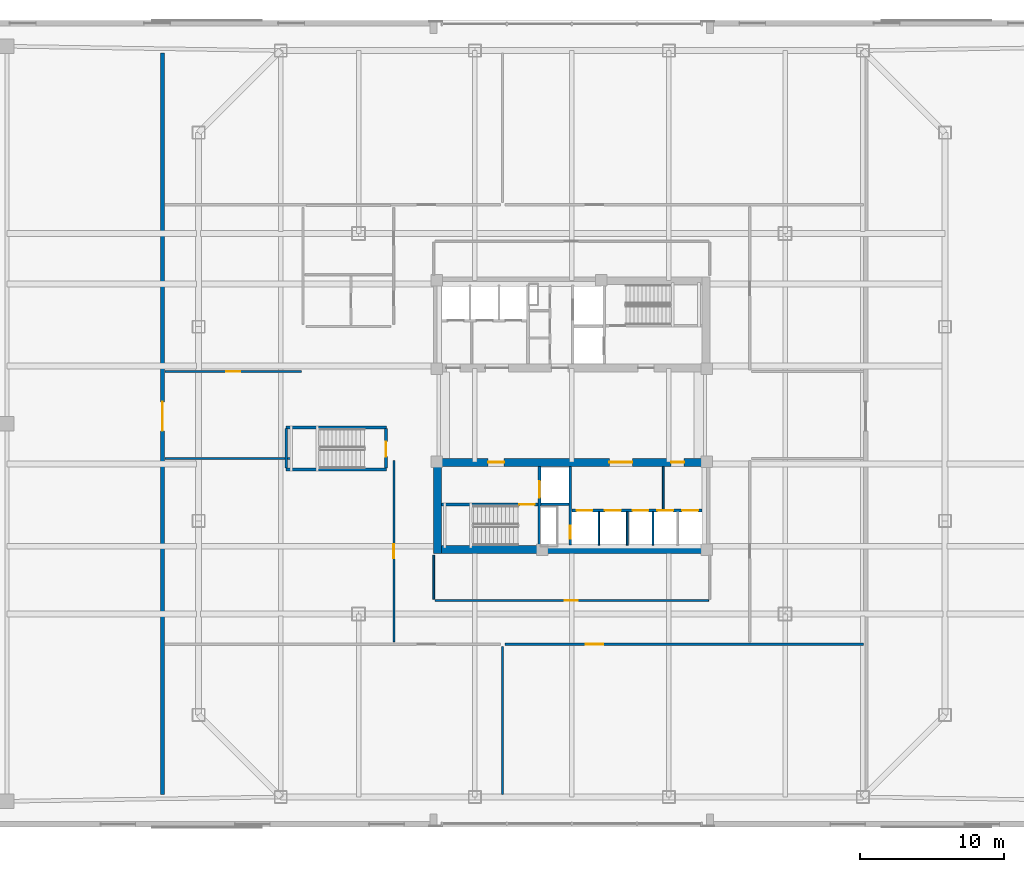
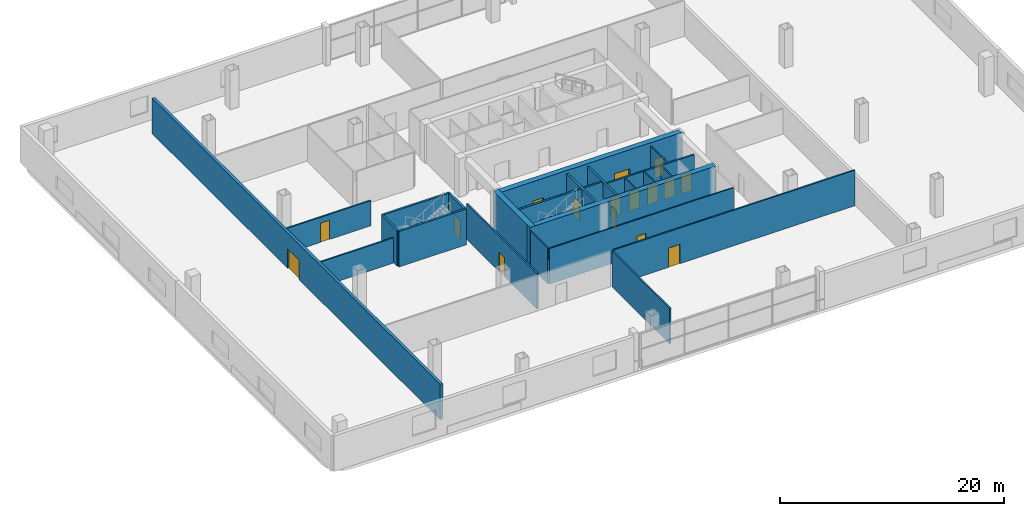
# One storey, part 12 of 21: 24 walls, 17 doors, 17 openings.
"""IFC4 building model written with IfcOpenShell, lengths in metres."""

from ifc_helpers import new_model, si_unit, direction, frame, frame_2d, origin, place, context, subcontext, project, spatial, rectangle, extrude, material, layer, layer_set, type_object, element, fill, save


model = new_model("IFC4")

# Units and contexts
model_context = context("Model", 3, precision=1e-05, world=origin(), true_north=direction((0.0, 1.0)))
body_context = subcontext(model_context, "Body", "Model", "MODEL_VIEW")
ifc_project = project(units=[si_unit("LENGTHUNIT", "METRE"), si_unit("AREAUNIT", "SQUARE_METRE"), si_unit("VOLUMEUNIT", "CUBIC_METRE"), si_unit("PLANEANGLEUNIT", "RADIAN"), si_unit("MASSUNIT", "GRAM", prefix="KILO")], contexts=[model_context])

# Site, building, storey
site_placement = place(None, origin())
site = spatial("IfcSite", under=ifc_project, at=site_placement, CompositionType="ELEMENT")
building_placement = place(site_placement, origin())
building = spatial("IfcBuilding", under=site, at=building_placement, Name="Qhalaya Broadcast Tower", CompositionType="ELEMENT")
storey_placement = place(building_placement, frame((0.0, 0.0, 13.5)))
storey = spatial("IfcBuildingStorey", under=building, at=storey_placement, Name="L03", CompositionType="ELEMENT", Elevation=13.5)

# Wall, opening, door
ifc_material_1 = material(Name="Gypsum Acoustic Partition")
ifc_layer_1 = layer(ifc_material_1, 0.14990234375, Name="Gypsum Acoustic Partition")
ifc_layer_set_1 = layer_set([ifc_layer_1], Name="Gypsum Acoustic Partition")
wall_type_1 = type_object("IfcWallType", Name="Corridor & Tenancy Acoustic Partition 150", PredefinedType="PARTITIONING", material=ifc_layer_set_1)
wall_1_placement = place(storey_placement, frame((-4.639892578125, -15.300048828125, 0.0), z_axis=(0.0, 0.0, 1.0), x_axis=(1.0, 0.0, 0.0)))
wall_1 = element("IfcWall", 1, at=wall_1_placement, inside=storey, type_object=wall_type_1, Name="L03 Partition Wall W-STS1R", PredefinedType="PARTITIONING", context=body_context, shape_type="SweptSolid", body=[
    extrude(rectangle(XDim=24.8798828125, YDim=0.14990234375, at=frame_2d((12.43994140625, 0.0))), origin(), (0.0, 0.0, 1.0), 3.8798828125),
])
opening_1_placement = place(wall_1_placement, frame((5.6201171875, 0.0, 0.0)))
opening_1 = element("IfcOpeningElement", 2, at=opening_1_placement, cuts=wall_1, Name="Opening D11", PredefinedType="OPENING", context=body_context, shape_type="SweptSolid", body=[
    extrude(rectangle(XDim=1.199951171875, YDim=2.10009765625, at=frame_2d((0.60009765625, 1.050048828125))), frame((0.0, 0.0869140625, 0.0), z_axis=(0.0, -1.0, 0.0), x_axis=(1.0, 0.0, 0.0)), (0.0, 0.0, 1.0), 0.173828125),
])
ifc_material_2 = material(Name="Anodised Aluminium Glazed Door", Category="aluminium")
door_type_1 = type_object("IfcDoorType", Name="Conference, Boardroom & Studio Control Door D11", OperationType="NOTDEFINED", PredefinedType="DOOR", material=ifc_material_2)
door_1_placement = place(opening_1_placement, origin())
door_1 = element("IfcDoor", 3, at=door_1_placement, inside=storey, type_object=door_type_1, Name="L03 Door D-STS2", OperationType="SINGLE_SWING_LEFT", OverallHeight=2.10009765625, OverallWidth=1.199951171875, PredefinedType="DOOR", context=body_context, shape_type="SweptSolid", body=[
    extrude(rectangle(XDim=1.199951171875, YDim=2.10009765625, at=frame_2d((0.60009765625, 1.050048828125))), frame((0.0, 0.02490234375, 0.0), z_axis=(0.0, -1.0, 0.0), x_axis=(1.0, 0.0, 0.0)), (0.0, 0.0, 1.0), 0.050048828125),
])
fill(opening_1, door_1)

# Wall
wall_2_placement = place(storey_placement, frame((-4.800048828125, -25.739990234375, 0.0), z_axis=(0.0, 0.0, 1.0), x_axis=(0.0, 1.0, 0.0)))
element("IfcWall", 4, at=wall_2_placement, inside=storey, type_object=wall_type_1, Name="L03 Partition Wall W-STMS", PredefinedType="PARTITIONING", context=body_context, shape_type="SweptSolid", body=[
    extrude(rectangle(XDim=10.280029296875, YDim=0.14990234375, at=frame_2d((5.14013671875, 0.0))), origin(), (0.0, 0.0, 1.0), 3.8798828125),
])

# Wall, opening, door
wall_3_placement = place(storey_placement, frame((-12.35009765625, -15.139892578125, 0.0), z_axis=(0.0, 0.0, 1.0), x_axis=(0.0, 1.0, 0.0)))
wall_3 = element("IfcWall", 5, at=wall_3_placement, inside=storey, type_object=wall_type_1, Name="L03 Partition Wall W-STPW", PredefinedType="PARTITIONING", context=body_context, shape_type="SweptSolid", body=[
    extrude(rectangle(XDim=12.579833984375, YDim=0.14990234375, at=frame_2d((6.2900390625, 0.0))), origin(), (0.0, 0.0, 1.0), 3.8798828125),
])
opening_2_placement = place(wall_3_placement, frame((5.81494140625, 0.0, 0.0)))
opening_2 = element("IfcOpeningElement", 6, at=opening_2_placement, cuts=wall_3, Name="Opening D10", PredefinedType="OPENING", context=body_context, shape_type="SweptSolid", body=[
    extrude(rectangle(XDim=0.949951171875, YDim=2.10009765625, at=frame_2d((0.47509765625, 1.050048828125))), frame((0.0, 0.0869140625, 0.0), z_axis=(0.0, -1.0, 0.0), x_axis=(1.0, 0.0, 0.0)), (0.0, 0.0, 1.0), 0.173828125),
])
ifc_material_3 = material(Name="Timber Veneer Acoustic Door", Category="wood")
door_type_2 = type_object("IfcDoorType", Name="Cellular Office & Edit Booth Door D10", OperationType="NOTDEFINED", PredefinedType="DOOR", material=ifc_material_3)
door_2_placement = place(opening_2_placement, origin())
door_2 = element("IfcDoor", 7, at=door_2_placement, inside=storey, type_object=door_type_2, Name="L03 Door D-STPW", OperationType="SINGLE_SWING_LEFT", OverallHeight=2.10009765625, OverallWidth=0.949951171875, PredefinedType="DOOR", context=body_context, shape_type="SweptSolid", body=[
    extrude(rectangle(XDim=0.949951171875, YDim=2.10009765625, at=frame_2d((0.47509765625, 1.050048828125))), frame((0.0, 0.02490234375, 0.0), z_axis=(0.0, -1.0, 0.0), x_axis=(1.0, 0.0, 0.0)), (0.0, 0.0, 1.0), 0.050048828125),
])
fill(opening_2, door_2)

# Wall
wall_4_placement = place(storey_placement, frame((-28.239990234375, -2.419921875, 0.0), z_axis=(0.0, 0.0, 1.0), x_axis=(1.0, 0.0, 0.0)))
element("IfcWall", 8, at=wall_4_placement, inside=storey, type_object=wall_type_1, Name="L03 Partition Wall W-STPW2", PredefinedType="PARTITIONING", context=body_context, shape_type="SweptSolid", body=[
    extrude(rectangle(XDim=8.72998046875, YDim=0.14990234375, at=frame_2d((4.364990234375, 0.0))), origin(), (0.0, 0.0, 1.0), 2.741943359375),
])

# Wall, opening, door
wall_5_placement = place(storey_placement, frame((-28.239990234375, 3.6201171875, 0.0), z_axis=(0.0, 0.0, 1.0), x_axis=(1.0, 0.0, 0.0)))
wall_5 = element("IfcWall", 9, at=wall_5_placement, inside=storey, type_object=wall_type_1, Name="L03 Partition Wall W-STPW3", PredefinedType="PARTITIONING", context=body_context, shape_type="SweptSolid", body=[
    extrude(rectangle(XDim=9.47998046875, YDim=0.14990234375, at=frame_2d((4.739990234375, 0.0))), origin(), (0.0, 0.0, 1.0), 2.741943359375),
])
opening_3_placement = place(wall_5_placement, frame((4.264892578125, 0.0, 0.0)))
opening_3 = element("IfcOpeningElement", 10, at=opening_3_placement, cuts=wall_5, Name="Opening D10", PredefinedType="OPENING", context=body_context, shape_type="SweptSolid", body=[
    extrude(rectangle(XDim=0.949951171875, YDim=2.10009765625, at=frame_2d((0.47509765625, 1.050048828125))), frame((0.0, 0.0869140625, 0.0), z_axis=(0.0, -1.0, 0.0), x_axis=(1.0, 0.0, 0.0)), (0.0, 0.0, 1.0), 0.173828125),
])
door_3_placement = place(opening_3_placement, origin())
door_3 = element("IfcDoor", 11, at=door_3_placement, inside=storey, type_object=door_type_2, Name="L03 Door D-STPW3", OperationType="SINGLE_SWING_RIGHT", OverallHeight=2.10009765625, OverallWidth=0.949951171875, PredefinedType="DOOR", context=body_context, shape_type="SweptSolid", body=[
    extrude(rectangle(XDim=0.949951171875, YDim=2.10009765625, at=frame_2d((0.47509765625, 1.050048828125))), frame((0.0, 0.02490234375, 0.0), z_axis=(0.0, -1.0, 0.0), x_axis=(1.0, 0.0, 0.0)), (0.0, 0.0, 1.0), 0.050048828125),
])
fill(opening_3, door_3)

ifc_layer_2 = layer(ifc_material_1, 0.280029296875, Name="Gypsum Acoustic Partition")
ifc_layer_set_2 = layer_set([ifc_layer_2], Name="Gypsum Acoustic Partition")
wall_type_2 = type_object("IfcWallType", Name="Double-Leaf Soundstage Acoustic Wall 280", PredefinedType="MOVABLE", material=ifc_layer_set_2)
wall_6_placement = place(storey_placement, frame((-28.39990234375, -25.739990234375, 0.0), z_axis=(0.0, 0.0, 1.0), x_axis=(0.0, 1.0, 0.0)))
wall_6 = element("IfcWall", 12, at=wall_6_placement, inside=storey, type_object=wall_type_2, Name="L03 Partition Wall W-STAW", PredefinedType="MOVABLE", context=body_context, shape_type="SweptSolid", body=[
    extrude(rectangle(XDim=51.47998046875, YDim=0.280029296875, at=frame_2d((25.739990234375, 0.0))), origin(), (0.0, 0.0, 1.0), 3.8798828125),
])
opening_4_placement = place(wall_6_placement, frame((25.2548828125, 0.0, 0.0)))
opening_4 = element("IfcOpeningElement", 13, at=opening_4_placement, cuts=wall_6, Name="Opening D08", PredefinedType="OPENING", context=body_context, shape_type="SweptSolid", body=[
    extrude(rectangle(XDim=2.0, YDim=2.139892578125, at=frame_2d((1.0, 1.06982421875))), frame((0.0, 0.152099609375, 0.0), z_axis=(0.0, -1.0, 0.0), x_axis=(1.0, 0.0, 0.0)), (0.0, 0.0, 1.0), 0.303955078125),
])
ifc_material_4 = material(Name="Acoustic Studio Isolation Steel Door", Category="steel")
door_type_3 = type_object("IfcDoorType", Name="Soundstage Acoustic Isolation Double Door D08", OperationType="DOUBLE_DOOR_SINGLE_SWING", PredefinedType="DOOR", material=ifc_material_4)
door_4_placement = place(opening_4_placement, origin())
door_4 = element("IfcDoor", 14, at=door_4_placement, inside=storey, type_object=door_type_3, Name="L03 Door D-STA1", OperationType="DOUBLE_DOOR_SINGLE_SWING", OverallHeight=2.139892578125, OverallWidth=2.0, PredefinedType="DOOR", context=body_context, shape_type="SweptSolid", body=[
    extrude(rectangle(XDim=2.0, YDim=2.139892578125, at=frame_2d((1.0, 1.06982421875))), frame((0.0, 0.02490234375, 0.0), z_axis=(0.0, -1.0, 0.0), x_axis=(1.0, 0.0, 0.0)), (0.0, 0.0, 1.0), 0.050048828125),
])
fill(opening_4, door_4)

ifc_material_5 = material(Name="Concrete C50/60", Category="concrete")
ifc_layer_3 = layer(ifc_material_5, 0.199951171875, Name="Concrete C50/60")
ifc_layer_set_3 = layer_set([ifc_layer_3], Name="Concrete C50/60")
wall_type_3 = type_object("IfcWallType", Name="Load-Bearing Stair Shaft Wall 200", PredefinedType="SHEAR", material=ifc_layer_set_3)
wall_7_placement = place(storey_placement, frame((-9.030029296875, -5.60498046875, 0.0), z_axis=(0.0, 0.0, 1.0), x_axis=(1.0, 0.0, 0.0)))
wall_7 = element("IfcWall", 15, at=wall_7_placement, inside=storey, type_object=wall_type_3, Name="L03 Stair Core Shear Wall SCW-ST2", PredefinedType="SHEAR", context=body_context, shape_type="SweptSolid", body=[
    extrude(rectangle(XDim=6.669921875, YDim=0.199951171875, at=frame_2d((3.3349609375, 0.0))), origin(), (0.0, 0.0, 1.0), 3.8798828125),
])
opening_5_placement = place(wall_7_placement, frame((5.39990234375, 0.0, 0.0)))
opening_5 = element("IfcOpeningElement", 16, at=opening_5_placement, cuts=wall_7, Name="Opening D03", PredefinedType="OPENING", context=body_context, shape_type="SweptSolid", body=[
    extrude(rectangle(XDim=1.050048828125, YDim=2.080078125, at=frame_2d((0.52490234375, 1.0400390625))), frame((0.0, 0.112060546875, 0.0), z_axis=(0.0, -1.0, 0.0), x_axis=(1.0, 0.0, 0.0)), (0.0, 0.0, 1.0), 0.223876953125),
])
ifc_material_6 = material(Name="Fire-Rated Steel Door", Category="steel")
door_type_4 = type_object("IfcDoorType", Name="Core Stair Protected Fire Door D03", OperationType="NOTDEFINED", PredefinedType="DOOR", material=ifc_material_6)
door_5_placement = place(opening_5_placement, origin())
door_5 = element("IfcDoor", 17, at=door_5_placement, inside=storey, type_object=door_type_4, Name="L03 Door D-SST2", OperationType="SINGLE_SWING_RIGHT", OverallHeight=2.080078125, OverallWidth=1.050048828125, PredefinedType="DOOR", context=body_context, shape_type="SweptSolid", body=[
    extrude(rectangle(XDim=1.050048828125, YDim=2.080078125, at=frame_2d((0.52490234375, 1.0400390625))), frame((0.0, 0.02490234375, 0.0), z_axis=(0.0, -1.0, 0.0), x_axis=(1.0, 0.0, 0.0)), (0.0, 0.0, 1.0), 0.050048828125),
])
fill(opening_5, door_5)

wall_8_placement = place(storey_placement, frame((-2.25, -8.429931640625, 0.0), z_axis=(0.0, 0.0, 1.0), x_axis=(0.0, 1.0, 0.0)))
wall_8 = element("IfcWall", 18, at=wall_8_placement, inside=storey, type_object=wall_type_3, Name="L03 Stair Core Shear Wall SCW-FF", PredefinedType="SHEAR", context=body_context, shape_type="SweptSolid", body=[
    extrude(rectangle(XDim=5.4599609375, YDim=0.199951171875, at=frame_2d((2.72998046875, 0.0))), origin(), (0.0, 0.0, 1.0), 3.8798828125),
])
opening_6_placement = place(wall_8_placement, frame((3.300048828125, 0.0, 0.0)))
opening_6 = element("IfcOpeningElement", 19, at=opening_6_placement, cuts=wall_8, Name="Opening LD2", PredefinedType="OPENING", context=body_context, shape_type="SweptSolid", body=[
    extrude(rectangle(XDim=1.14990234375, YDim=2.080078125, at=frame_2d((0.574951171875, 1.0400390625))), frame((0.0, 0.112060546875, 0.0), z_axis=(0.0, -1.0, 0.0), x_axis=(1.0, 0.0, 0.0)), (0.0, 0.0, 1.0), 0.223876953125),
])
ifc_material_7 = material(Name="Brushed Stainless Steel Lift Door", Category="steel")
door_type_5 = type_object("IfcDoorType", Name="Firefighting Lift Sliding Landing Door LD2", OperationType="DOUBLE_DOOR_SLIDING", PredefinedType="DOOR", material=ifc_material_7)
door_6_placement = place(opening_6_placement, origin())
door_6 = element("IfcDoor", 20, at=door_6_placement, inside=storey, type_object=door_type_5, Name="L03 Door LD-FF2", OperationType="DOUBLE_DOOR_SLIDING", OverallHeight=2.080078125, OverallWidth=1.14990234375, PredefinedType="DOOR", context=body_context, shape_type="SweptSolid", body=[
    extrude(rectangle(XDim=1.14990234375, YDim=2.080078125, at=frame_2d((0.574951171875, 1.0400390625))), frame((0.0, 0.02490234375, 0.0), z_axis=(0.0, -1.0, 0.0), x_axis=(1.0, 0.0, 0.0)), (0.0, 0.0, 1.0), 0.050048828125),
])
fill(opening_6, door_6)

# Walls
for number, where, z_axis, x_axis, name in (
    (21, (-19.830078125, -0.25, 0.0), (0.0, 0.0, 1.0), (1.0, 0.0, 0.0), "L03 Stair Core Shear Wall W-STP1N"),
    (22, (-19.830078125, -3.179931640625, 0.0), (0.0, 0.0, 1.0), (1.0, 0.0, 0.0), "L03 Stair Core Shear Wall W-STP1S"),
):
    element("IfcWall", number, at=place(storey_placement, frame(where, z_axis=z_axis, x_axis=x_axis)), inside=storey, type_object=wall_type_3, Name=name, PredefinedType="SHEAR", context=body_context, shape_type="SweptSolid", body=[
        extrude(rectangle(XDim=6.9599609375, YDim=0.199951171875, at=frame_2d((3.47998046875, 0.0))), origin(), (0.0, 0.0, 1.0), 3.8798828125),
    ])

# Wall, opening, door
wall_9_placement = place(storey_placement, frame((-12.89990234375, -0.340087890625, 0.0), z_axis=(0.0, 0.0, 1.0), x_axis=(0.0, -1.0, 0.0)))
wall_9 = element("IfcWall", 23, at=wall_9_placement, inside=storey, type_object=wall_type_3, Name="L03 Stair Core Shear Wall W-STP1E", PredefinedType="SHEAR", context=body_context, shape_type="SweptSolid", body=[
    extrude(rectangle(XDim=2.739990234375, YDim=0.199951171875, at=frame_2d((1.3701171875, 0.0))), origin(), (0.0, 0.0, 1.0), 3.8798828125),
])
opening_7_placement = place(wall_9_placement, frame((0.89501953125, 0.0, 0.0)))
opening_7 = element("IfcOpeningElement", 24, at=opening_7_placement, cuts=wall_9, Name="Opening D03", PredefinedType="OPENING", context=body_context, shape_type="SweptSolid", body=[
    extrude(rectangle(XDim=1.050048828125, YDim=2.080078125, at=frame_2d((0.52490234375, 1.0400390625))), frame((0.0, 0.112060546875, 0.0), z_axis=(0.0, -1.0, 0.0), x_axis=(1.0, 0.0, 0.0)), (0.0, 0.0, 1.0), 0.223876953125),
])
door_7_placement = place(opening_7_placement, origin())
door_7 = element("IfcDoor", 25, at=door_7_placement, inside=storey, type_object=door_type_4, Name="L03 Door D-STP1", OperationType="SINGLE_SWING_LEFT", OverallHeight=2.080078125, OverallWidth=1.050048828125, PredefinedType="DOOR", context=body_context, shape_type="SweptSolid", body=[
    extrude(rectangle(XDim=1.050048828125, YDim=2.080078125, at=frame_2d((0.52490234375, 1.0400390625))), frame((0.0, 0.02490234375, 0.0), z_axis=(0.0, -1.0, 0.0), x_axis=(1.0, 0.0, 0.0)), (0.0, 0.0, 1.0), 0.050048828125),
])
fill(opening_7, door_7)

# Walls
wall_10_placement = place(storey_placement, frame((-19.820068359375, -3.080078125, 0.0), z_axis=(0.0, 0.0, 1.0), x_axis=(0.0, 1.0, 0.0)))
element("IfcWall", 26, at=wall_10_placement, inside=storey, type_object=wall_type_3, Name="L03 Stair Core Shear Wall W-STP1W", PredefinedType="SHEAR", context=body_context, shape_type="SweptSolid", body=[
    extrude(rectangle(XDim=2.739990234375, YDim=0.199951171875, at=frame_2d((1.3701171875, 0.0))), origin(), (0.0, 0.0, 1.0), 3.8798828125),
])
ifc_material_8 = material(Name="Concrete C60/75", Category="concrete")
ifc_layer_4 = layer(ifc_material_8, 0.550048828125, Name="Concrete C60/75")
ifc_layer_set_4 = layer_set([ifc_layer_4], Name="Concrete C60/75")
wall_type_4 = type_object("IfcWallType", Name="Lower Split-Core Shear Wall 550", PredefinedType="SHEAR", material=ifc_layer_set_4)
wall_11_placement = place(storey_placement, frame((-9.60009765625, -8.72509765625, 0.0), z_axis=(0.0, 0.0, 1.0), x_axis=(1.0, 0.0, 0.0)))
element("IfcWall", 27, at=wall_11_placement, inside=storey, type_object=wall_type_4, Name="L03 Split-Core Shear Wall CW-SS", PredefinedType="SHEAR", context=body_context, shape_type="SweptSolid", body=[
    extrude(rectangle(XDim=19.2001953125, YDim=0.550048828125, at=frame_2d((9.60009765625, 0.0))), origin(), (0.0, 0.0, 1.0), 4.199951171875),
])

# Wall, openings, doors
wall_12_placement = place(storey_placement, frame((-9.60009765625, -2.675048828125, 0.0), z_axis=(0.0, 0.0, 1.0), x_axis=(1.0, 0.0, 0.0)))
wall_12 = element("IfcWall", 28, at=wall_12_placement, inside=storey, type_object=wall_type_4, Name="L03 Split-Core Shear Wall CW-SN", PredefinedType="SHEAR", context=body_context, shape_type="SweptSolid", body=[
    extrude(rectangle(XDim=19.2001953125, YDim=0.550048828125, at=frame_2d((9.60009765625, 0.0))), origin(), (0.0, 0.0, 1.0), 4.199951171875),
])
opening_8_placement = place(wall_12_placement, frame((3.800048828125, 0.0, 0.0)))
opening_8 = element("IfcOpeningElement", 29, at=opening_8_placement, cuts=wall_12, Name="Opening D04", PredefinedType="OPENING", context=body_context, shape_type="SweptSolid", body=[
    extrude(rectangle(XDim=1.10009765625, YDim=2.080078125, at=frame_2d((0.550048828125, 1.0400390625))), frame((0.0, 0.287109375, 0.0), z_axis=(0.0, -1.0, 0.0), x_axis=(1.0, 0.0, 0.0)), (0.0, 0.0, 1.0), 0.573974609375),
])
opening_9_placement = place(wall_12_placement, frame((12.199951171875, 0.0, 0.0)))
opening_9 = element("IfcOpeningElement", 30, at=opening_9_placement, cuts=wall_12, Name="Opening D07", PredefinedType="OPENING", context=body_context, shape_type="SweptSolid", body=[
    extrude(rectangle(XDim=1.60009765625, YDim=2.1201171875, at=frame_2d((0.800048828125, 1.06005859375))), frame((0.0, 0.287109375, 0.0), z_axis=(0.0, -1.0, 0.0), x_axis=(1.0, 0.0, 0.0)), (0.0, 0.0, 1.0), 0.573974609375),
])
opening_10_placement = place(wall_12_placement, frame((16.5, 0.0, 0.0)))
opening_10 = element("IfcOpeningElement", 31, at=opening_10_placement, cuts=wall_12, Name="Opening D06", PredefinedType="OPENING", context=body_context, shape_type="SweptSolid", body=[
    extrude(rectangle(XDim=0.89990234375, YDim=2.050048828125, at=frame_2d((0.449951171875, 1.02490234375))), frame((0.0, 0.287109375, 0.0), z_axis=(0.0, -1.0, 0.0), x_axis=(1.0, 0.0, 0.0)), (0.0, 0.0, 1.0), 0.573974609375),
])
door_type_6 = type_object("IfcDoorType", Name="Firefighting Lobby Rated Door D04", OperationType="NOTDEFINED", PredefinedType="DOOR", material=ifc_material_6)
door_8_placement = place(opening_8_placement, origin())
door_8 = element("IfcDoor", 32, at=door_8_placement, inside=storey, type_object=door_type_6, Name="L03 Door D-SFF", OperationType="SINGLE_SWING_LEFT", OverallHeight=2.080078125, OverallWidth=1.10009765625, PredefinedType="DOOR", context=body_context, shape_type="SweptSolid", body=[
    extrude(rectangle(XDim=1.10009765625, YDim=2.080078125, at=frame_2d((0.550048828125, 1.0400390625))), frame((0.0, 0.02490234375, 0.0), z_axis=(0.0, -1.0, 0.0), x_axis=(1.0, 0.0, 0.0)), (0.0, 0.0, 1.0), 0.050048828125),
])
fill(opening_8, door_8)
door_type_7 = type_object("IfcDoorType", Name="Passenger Lift Lobby Double Glazed Door D07", OperationType="DOUBLE_DOOR_SINGLE_SWING", PredefinedType="DOOR", material=ifc_material_2)
door_9_placement = place(opening_9_placement, origin())
door_9 = element("IfcDoor", 33, at=door_9_placement, inside=storey, type_object=door_type_7, Name="L03 Door D-SPLL", OperationType="DOUBLE_DOOR_SINGLE_SWING", OverallHeight=2.1201171875, OverallWidth=1.60009765625, PredefinedType="DOOR", context=body_context, shape_type="SweptSolid", body=[
    extrude(rectangle(XDim=1.60009765625, YDim=2.1201171875, at=frame_2d((0.800048828125, 1.06005859375))), frame((0.0, 0.02490234375, 0.0), z_axis=(0.0, -1.0, 0.0), x_axis=(1.0, 0.0, 0.0)), (0.0, 0.0, 1.0), 0.050048828125),
])
fill(opening_9, door_9)
door_type_8 = type_object("IfcDoorType", Name="Riser & Electrical Shaft Access Door D06", OperationType="NOTDEFINED", PredefinedType="DOOR", material=ifc_material_6)
door_10_placement = place(opening_10_placement, origin())
door_10 = element("IfcDoor", 34, at=door_10_placement, inside=storey, type_object=door_type_8, Name="L03 Door D-SSCST", OperationType="SINGLE_SWING_LEFT", OverallHeight=2.050048828125, OverallWidth=0.89990234375, PredefinedType="DOOR", context=body_context, shape_type="SweptSolid", body=[
    extrude(rectangle(XDim=0.89990234375, YDim=2.050048828125, at=frame_2d((0.449951171875, 1.02490234375))), frame((0.0, 0.02490234375, 0.0), z_axis=(0.0, -1.0, 0.0), x_axis=(1.0, 0.0, 0.0)), (0.0, 0.0, 1.0), 0.050048828125),
])
fill(opening_10, door_10)

# Walls
wall_13_placement = place(storey_placement, frame((-9.324951171875, -9.0, 0.0), z_axis=(0.0, 0.0, 1.0), x_axis=(0.0, 1.0, 0.0)))
element("IfcWall", 35, at=wall_13_placement, inside=storey, type_object=wall_type_4, Name="L03 Split-Core Shear Wall CW-SW", PredefinedType="SHEAR", context=body_context, shape_type="SweptSolid", body=[
    extrude(rectangle(XDim=6.60009765625, YDim=0.550048828125, at=frame_2d((3.300048828125, 0.0))), origin(), (0.0, 0.0, 1.0), 4.199951171875),
])
ifc_layer_5 = layer(ifc_material_1, 0.1201171875, Name="Gypsum Acoustic Partition")
ifc_layer_set_5 = layer_set([ifc_layer_5], Name="Gypsum Acoustic Partition")
wall_type_5 = type_object("IfcWallType", Name="Office, Booth & Sanitary Partition 120", PredefinedType="PARTITIONING", material=ifc_layer_set_5)
for number, where, z_axis, x_axis, name in (
    (36, (1.8798828125, -8.429931640625, 0.0), (0.0, 0.0, 1.0), (0.0, 1.0, 0.0), "L03 Partition Wall SCW-MD4"),
    (37, (3.85009765625, -8.429931640625, 0.0), (0.0, 0.0, 1.0), (0.0, 1.0, 0.0), "L03 Partition Wall SCW-MD5"),
    (38, (5.639892578125, -8.429931640625, 0.0), (0.0, 0.0, 1.0), (0.0, 1.0, 0.0), "L03 Partition Wall SCW-HD6"),
):
    element("IfcWall", number, at=place(storey_placement, frame(where, z_axis=z_axis, x_axis=x_axis)), inside=storey, type_object=wall_type_5, Name=name, PredefinedType="PARTITIONING", context=body_context, shape_type="SweptSolid", body=[
        extrude(rectangle(XDim=2.329833984375, YDim=0.1201171875, at=frame_2d((1.1650390625, 0.0))), origin(), (0.0, 0.0, 1.0), 3.8798828125),
    ])
wall_14_placement = place(storey_placement, frame((6.35009765625, -5.93994140625, 0.0), z_axis=(0.0, 0.0, 1.0), x_axis=(0.0, 1.0, 0.0)))
element("IfcWall", 39, at=wall_14_placement, inside=storey, type_object=wall_type_5, Name="L03 Partition Wall SCW-LKB", PredefinedType="PARTITIONING", context=body_context, shape_type="SweptSolid", body=[
    extrude(rectangle(XDim=2.969970703125, YDim=0.1201171875, at=frame_2d((1.48486328125, 0.0))), origin(), (0.0, 0.0, 1.0), 3.8798828125),
])

# Wall, opening, door
wall_15_placement = place(storey_placement, frame((-9.489990234375, -12.260009765625, 0.0), z_axis=(0.0, 0.0, 1.0), x_axis=(1.0, 0.0, 0.0)))
wall_15 = element("IfcWall", 40, at=wall_15_placement, inside=storey, type_object=wall_type_5, Name="L03 Partition Wall W-PCSHS", PredefinedType="PARTITIONING", context=body_context, shape_type="SweptSolid", body=[
    extrude(rectangle(XDim=18.97998046875, YDim=0.1201171875, at=frame_2d((9.489990234375, 0.0))), origin(), (0.0, 0.0, 1.0), 3.8798828125),
])
opening_11_placement = place(wall_15_placement, frame((9.014892578125, 0.0, 0.0)))
opening_11 = element("IfcOpeningElement", 41, at=opening_11_placement, cuts=wall_15, Name="Opening D06", PredefinedType="OPENING", context=body_context, shape_type="SweptSolid", body=[
    extrude(rectangle(XDim=0.89990234375, YDim=2.050048828125, at=frame_2d((0.449951171875, 1.02490234375))), frame((0.0, 0.072021484375, 0.0), z_axis=(0.0, -1.0, 0.0), x_axis=(1.0, 0.0, 0.0)), (0.0, 0.0, 1.0), 0.14404296875),
])
door_11_placement = place(opening_11_placement, origin())
door_11 = element("IfcDoor", 42, at=door_11_placement, inside=storey, type_object=door_type_8, Name="L03 Door D-PCSHS", OperationType="SINGLE_SWING_RIGHT", OverallHeight=2.050048828125, OverallWidth=0.89990234375, PredefinedType="DOOR", context=body_context, shape_type="SweptSolid", body=[
    extrude(rectangle(XDim=0.89990234375, YDim=2.050048828125, at=frame_2d((0.449951171875, 1.02490234375))), frame((0.0, 0.02490234375, 0.0), z_axis=(0.0, -1.0, 0.0), x_axis=(1.0, 0.0, 0.0)), (0.0, 0.0, 1.0), 0.050048828125),
])
fill(opening_11, door_11)

# Wall
wall_16_placement = place(storey_placement, frame((-9.580078125, -12.18994140625, 0.0), z_axis=(0.0, 0.0, 1.0), x_axis=(0.0, 1.0, 0.0)))
element("IfcWall", 43, at=wall_16_placement, inside=storey, type_object=wall_type_5, Name="L03 Partition Wall W-PCSHSW", PredefinedType="PARTITIONING", context=body_context, shape_type="SweptSolid", body=[
    extrude(rectangle(XDim=3.079833984375, YDim=0.1201171875, at=frame_2d((1.5400390625, 0.0))), origin(), (0.0, 0.0, 1.0), 3.8798828125),
])

# Wall, opening, door
ifc_layer_6 = layer(ifc_material_1, 0.175048828125, Name="Gypsum Acoustic Partition")
ifc_layer_set_6 = layer_set([ifc_layer_6], Name="Gypsum Acoustic Partition")
wall_type_6 = type_object("IfcWallType", Name="Shaft & Riser Fire Partition 175", PredefinedType="PARTITIONING", material=ifc_layer_set_6)
wall_17_placement = place(storey_placement, frame((-0.10009765625, -8.429931640625, 0.0), z_axis=(0.0, 0.0, 1.0), x_axis=(0.0, 1.0, 0.0)))
wall_17 = element("IfcWall", 44, at=wall_17_placement, inside=storey, type_object=wall_type_6, Name="L03 Partition Wall SCW-FFE", PredefinedType="PARTITIONING", context=body_context, shape_type="SweptSolid", body=[
    extrude(rectangle(XDim=5.4599609375, YDim=0.175048828125, at=frame_2d((2.72998046875, 0.0))), origin(), (0.0, 0.0, 1.0), 3.8798828125),
])
opening_12_placement = place(wall_17_placement, frame((0.449951171875, 0.0, 0.0)))
opening_12 = element("IfcOpeningElement", 45, at=opening_12_placement, cuts=wall_17, Name="Opening D06", PredefinedType="OPENING", context=body_context, shape_type="SweptSolid", body=[
    extrude(rectangle(XDim=0.89990234375, YDim=2.050048828125, at=frame_2d((0.449951171875, 1.02490234375))), frame((0.0, 0.099609375, 0.0), z_axis=(0.0, -1.0, 0.0), x_axis=(1.0, 0.0, 0.0)), (0.0, 0.0, 1.0), 0.198974609375),
])
door_12_placement = place(opening_12_placement, origin())
door_12 = element("IfcDoor", 46, at=door_12_placement, inside=storey, type_object=door_type_8, Name="L03 Riser Shaft Access Door D-SRSR", OperationType="SINGLE_SWING_LEFT", OverallHeight=2.050048828125, OverallWidth=0.89990234375, PredefinedType="DOOR", context=body_context, shape_type="SweptSolid", body=[
    extrude(rectangle(XDim=0.89990234375, YDim=2.050048828125, at=frame_2d((0.449951171875, 1.02490234375))), frame((0.0, 0.02490234375, 0.0), z_axis=(0.0, -1.0, 0.0), x_axis=(1.0, 0.0, 0.0)), (0.0, 0.0, 1.0), 0.050048828125),
])
fill(opening_12, door_12)

# Wall
wall_18_placement = place(storey_placement, frame((-2.14990234375, -5.60009765625, 0.0), z_axis=(0.0, 0.0, 1.0), x_axis=(1.0, 0.0, 0.0)))
element("IfcWall", 47, at=wall_18_placement, inside=storey, type_object=wall_type_6, Name="L03 Partition Wall SCW-FFM", PredefinedType="PARTITIONING", context=body_context, shape_type="SweptSolid", body=[
    extrude(rectangle(XDim=1.969970703125, YDim=0.175048828125, at=frame_2d((0.98486328125, 0.0))), origin(), (0.0, 0.0, 1.0), 3.8798828125),
])

# Wall, openings, doors
wall_19_placement = place(storey_placement, frame((0.0, -6.02001953125, 0.0), z_axis=(0.0, 0.0, 1.0), x_axis=(1.0, 0.0, 0.0)))
wall_19 = element("IfcWall", 48, at=wall_19_placement, inside=storey, type_object=wall_type_6, Name="L03 Partition Wall SCW-SLB", PredefinedType="PARTITIONING", context=body_context, shape_type="SweptSolid", body=[
    extrude(rectangle(XDim=9.030029296875, YDim=0.175048828125, at=frame_2d((4.51513671875, 0.0))), origin(), (0.0, 0.0, 1.0), 3.8798828125),
])
opening_13_placement = place(wall_19_placement, frame((0.330078125, 0.0, 0.0)))
opening_13 = element("IfcOpeningElement", 49, at=opening_13_placement, cuts=wall_19, Name="Opening LD1", PredefinedType="OPENING", context=body_context, shape_type="SweptSolid", body=[
    extrude(rectangle(XDim=1.10009765625, YDim=2.06005859375, at=frame_2d((0.550048828125, 1.030029296875))), frame((0.0, 0.099609375, 0.0), z_axis=(0.0, -1.0, 0.0), x_axis=(1.0, 0.0, 0.0)), (0.0, 0.0, 1.0), 0.198974609375),
])
opening_14_placement = place(wall_19_placement, frame((2.300048828125, 0.0, 0.0)))
opening_14 = element("IfcOpeningElement", 50, at=opening_14_placement, cuts=wall_19, Name="Opening LD1", PredefinedType="OPENING", context=body_context, shape_type="SweptSolid", body=[
    extrude(rectangle(XDim=1.10009765625, YDim=2.06005859375, at=frame_2d((0.550048828125, 1.030029296875))), frame((0.0, 0.099609375, 0.0), z_axis=(0.0, -1.0, 0.0), x_axis=(1.0, 0.0, 0.0)), (0.0, 0.0, 1.0), 0.198974609375),
])
opening_15_placement = place(wall_19_placement, frame((4.219970703125, 0.0, 0.0)))
opening_15 = element("IfcOpeningElement", 51, at=opening_15_placement, cuts=wall_19, Name="Opening LD1", PredefinedType="OPENING", context=body_context, shape_type="SweptSolid", body=[
    extrude(rectangle(XDim=1.10009765625, YDim=2.06005859375, at=frame_2d((0.550048828125, 1.030029296875))), frame((0.0, 0.099609375, 0.0), z_axis=(0.0, -1.0, 0.0), x_axis=(1.0, 0.0, 0.0)), (0.0, 0.0, 1.0), 0.198974609375),
])
opening_16_placement = place(wall_19_placement, frame((5.93994140625, 0.0, 0.0)))
opening_16 = element("IfcOpeningElement", 52, at=opening_16_placement, cuts=wall_19, Name="Opening LD1", PredefinedType="OPENING", context=body_context, shape_type="SweptSolid", body=[
    extrude(rectangle(XDim=1.10009765625, YDim=2.06005859375, at=frame_2d((0.550048828125, 1.030029296875))), frame((0.0, 0.099609375, 0.0), z_axis=(0.0, -1.0, 0.0), x_axis=(1.0, 0.0, 0.0)), (0.0, 0.0, 1.0), 0.198974609375),
])
opening_17_placement = place(wall_19_placement, frame((7.659912109375, 0.0, 0.0)))
opening_17 = element("IfcOpeningElement", 53, at=opening_17_placement, cuts=wall_19, Name="Opening LD1", PredefinedType="OPENING", context=body_context, shape_type="SweptSolid", body=[
    extrude(rectangle(XDim=1.10009765625, YDim=2.06005859375, at=frame_2d((0.550048828125, 1.030029296875))), frame((0.0, 0.099609375, 0.0), z_axis=(0.0, -1.0, 0.0), x_axis=(1.0, 0.0, 0.0)), (0.0, 0.0, 1.0), 0.198974609375),
])
door_type_9 = type_object("IfcDoorType", Name="Passenger Lift Sliding Landing Door LD1", OperationType="DOUBLE_DOOR_SLIDING", PredefinedType="DOOR", material=ifc_material_7)
door_13_placement = place(opening_13_placement, origin())
door_13 = element("IfcDoor", 54, at=door_13_placement, inside=storey, type_object=door_type_9, Name="L03 Door LD-P4", OperationType="DOUBLE_DOOR_SLIDING", OverallHeight=2.06005859375, OverallWidth=1.10009765625, PredefinedType="DOOR", context=body_context, shape_type="SweptSolid", body=[
    extrude(rectangle(XDim=1.10009765625, YDim=2.06005859375, at=frame_2d((0.550048828125, 1.030029296875))), frame((0.0, 0.02490234375, 0.0), z_axis=(0.0, -1.0, 0.0), x_axis=(1.0, 0.0, 0.0)), (0.0, 0.0, 1.0), 0.050048828125),
])
fill(opening_13, door_13)
door_14_placement = place(opening_14_placement, origin())
door_14 = element("IfcDoor", 55, at=door_14_placement, inside=storey, type_object=door_type_9, Name="L03 Door LD-P5", OperationType="DOUBLE_DOOR_SLIDING", OverallHeight=2.06005859375, OverallWidth=1.10009765625, PredefinedType="DOOR", context=body_context, shape_type="SweptSolid", body=[
    extrude(rectangle(XDim=1.10009765625, YDim=2.06005859375, at=frame_2d((0.550048828125, 1.030029296875))), frame((0.0, 0.02490234375, 0.0), z_axis=(0.0, -1.0, 0.0), x_axis=(1.0, 0.0, 0.0)), (0.0, 0.0, 1.0), 0.050048828125),
])
fill(opening_14, door_14)
door_15_placement = place(opening_15_placement, origin())
door_15 = element("IfcDoor", 56, at=door_15_placement, inside=storey, type_object=door_type_9, Name="L03 Door LD-P6", OperationType="DOUBLE_DOOR_SLIDING", OverallHeight=2.06005859375, OverallWidth=1.10009765625, PredefinedType="DOOR", context=body_context, shape_type="SweptSolid", body=[
    extrude(rectangle(XDim=1.10009765625, YDim=2.06005859375, at=frame_2d((0.550048828125, 1.030029296875))), frame((0.0, 0.02490234375, 0.0), z_axis=(0.0, -1.0, 0.0), x_axis=(1.0, 0.0, 0.0)), (0.0, 0.0, 1.0), 0.050048828125),
])
fill(opening_15, door_15)
door_16_placement = place(opening_16_placement, origin())
door_16 = element("IfcDoor", 57, at=door_16_placement, inside=storey, type_object=door_type_9, Name="L03 Door LD-P7", OperationType="DOUBLE_DOOR_SLIDING", OverallHeight=2.06005859375, OverallWidth=1.10009765625, PredefinedType="DOOR", context=body_context, shape_type="SweptSolid", body=[
    extrude(rectangle(XDim=1.10009765625, YDim=2.06005859375, at=frame_2d((0.550048828125, 1.030029296875))), frame((0.0, 0.02490234375, 0.0), z_axis=(0.0, -1.0, 0.0), x_axis=(1.0, 0.0, 0.0)), (0.0, 0.0, 1.0), 0.050048828125),
])
fill(opening_16, door_16)
door_17_placement = place(opening_17_placement, origin())
door_17 = element("IfcDoor", 58, at=door_17_placement, inside=storey, type_object=door_type_9, Name="L03 Door LD-P8", OperationType="DOUBLE_DOOR_SLIDING", OverallHeight=2.06005859375, OverallWidth=1.10009765625, PredefinedType="DOOR", context=body_context, shape_type="SweptSolid", body=[
    extrude(rectangle(XDim=1.10009765625, YDim=2.06005859375, at=frame_2d((0.550048828125, 1.030029296875))), frame((0.0, 0.02490234375, 0.0), z_axis=(0.0, -1.0, 0.0), x_axis=(1.0, 0.0, 0.0)), (0.0, 0.0, 1.0), 0.050048828125),
])
fill(opening_17, door_17)

save(model, "model.ifc")
